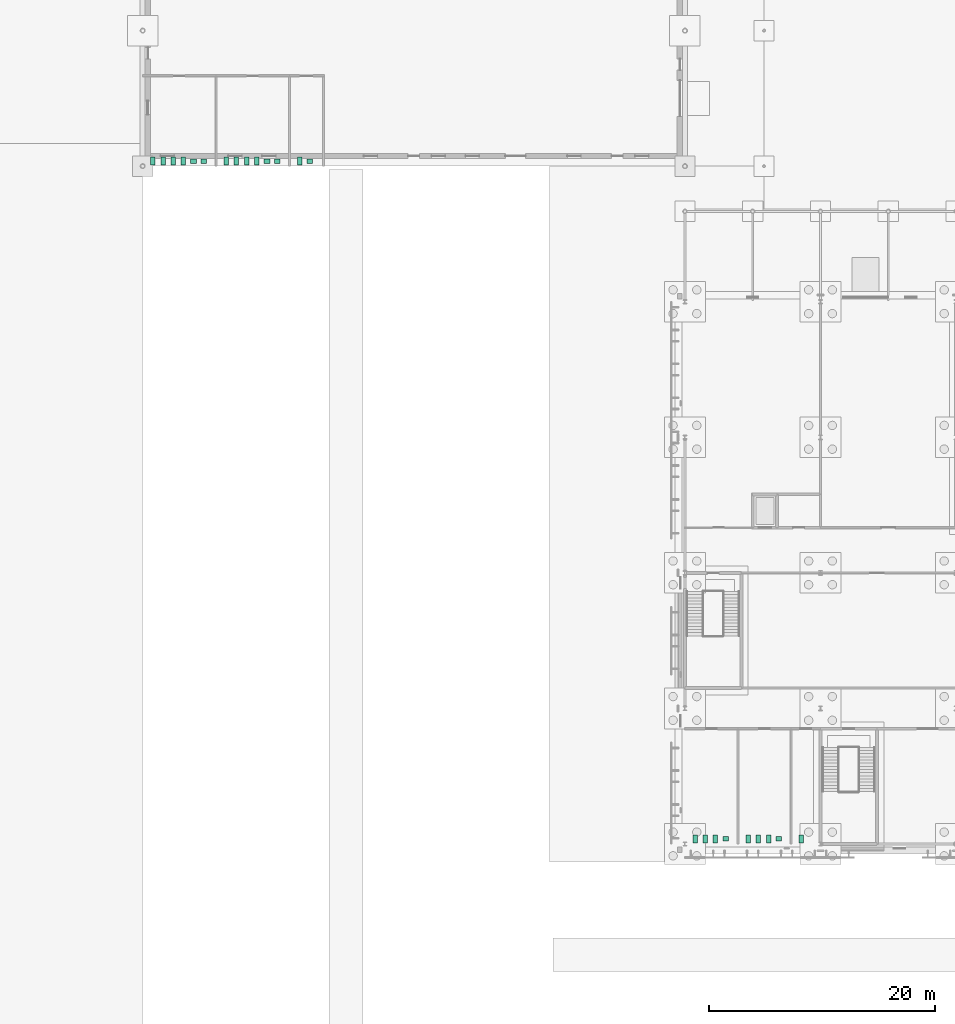
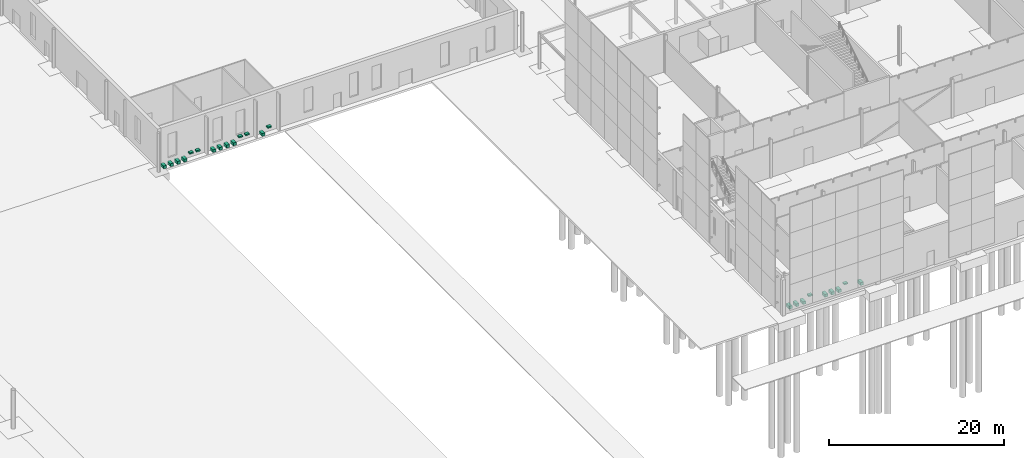
# One storey, part 129 of 132: 23 sanitary terminals.
"""IFC4 building model written with IfcOpenShell, lengths in metres."""

from ifc_helpers import new_model, si_unit, direction, frame, origin, origin_2d, place, context, subcontext, project, spatial, rectangle, extrude, material, type_object, element, save


model = new_model("IFC4")

# Units and contexts
model_context = context("Model", 3, precision=1e-05, world=origin(), true_north=direction((0.0, 1.0)))
body_context = subcontext(model_context, "Body", "Model", "MODEL_VIEW")
ifc_project = project(units=[si_unit("LENGTHUNIT", "METRE"), si_unit("AREAUNIT", "SQUARE_METRE"), si_unit("VOLUMEUNIT", "CUBIC_METRE"), si_unit("PLANEANGLEUNIT", "RADIAN"), si_unit("MASSUNIT", "GRAM", prefix="KILO")], contexts=[model_context])

# Site, building, storey
site_placement = place(None, origin())
site = spatial("IfcSite", under=ifc_project, at=site_placement, CompositionType="ELEMENT")
building_placement = place(site_placement, origin())
building = spatial("IfcBuilding", under=site, at=building_placement, Name="Ravi Spectrum Wholesale Market", CompositionType="ELEMENT")
storey_placement = place(building_placement, origin())
storey = spatial("IfcBuildingStorey", under=building, at=storey_placement, Name="L00", CompositionType="ELEMENT", Elevation=0.0)

# Sanitary terminals
ifc_material_1 = material(Name="Vitreous china")
sanitary_terminal_type_1 = type_object("IfcSanitaryTerminalType", Name="Wash hand basin", PredefinedType="WASHHANDBASIN", material=ifc_material_1)
for number, where, z_axis, x_axis, name in (
    (1, (154.5, 78.449951171875, 0.7001953125), (0.0, 0.0, 1.0), (1.0, 0.0, 0.0), "Basin L00-H2-02-5"),
    (2, (155.39990234375, 78.449951171875, 0.7001953125), (0.0, 0.0, 1.0), (1.0, 0.0, 0.0), "Basin L00-H2-02-6"),
    (3, (161.0, 78.449951171875, 0.7001953125), (0.0, 0.0, 1.0), (1.0, 0.0, 0.0), "Basin L00-H2-03-5"),
    (4, (161.89990234375, 78.449951171875, 0.7001953125), (0.0, 0.0, 1.0), (1.0, 0.0, 0.0), "Basin L00-H2-03-6"),
    (5, (164.800048828125, 78.449951171875, 0.7001953125), (0.0, 0.0, 1.0), (1.0, 0.0, 0.0), "Basin L00-H2-04-2"),
    (6, (201.60009765625, 18.449951171875, 0.7001953125), (0.0, 0.0, 1.0), (1.0, 0.0, 0.0), "Basin L00-CS-15-4"),
    (7, (206.300048828125, 18.449951171875, 0.7001953125), (0.0, 0.0, 1.0), (1.0, 0.0, 0.0), "Basin L00-CS-16-4"),
):
    element("IfcSanitaryTerminal", number, at=place(storey_placement, frame(where, z_axis=z_axis, x_axis=x_axis)), inside=storey, type_object=sanitary_terminal_type_1, Name=name, PredefinedType="WASHHANDBASIN", context=body_context, shape_type="SweptSolid", body=[
        extrude(rectangle(XDim=0.5, YDim=0.39990234375, at=origin_2d()), origin(), (0.0, 0.0, 1.0), 0.199951171875),
    ])
ifc_material_2 = material(Name="Vitreous china")
sanitary_terminal_type_2 = type_object("IfcSanitaryTerminalType", Name="Water closet pan", PredefinedType="WCSEAT", material=ifc_material_2)
for number, where, z_axis, x_axis, name in (
    (8, (150.89990234375, 78.449951171875, 0.0), (0.0, 0.0, 1.0), (1.0, 0.0, 0.0), "Water closet L00-H2-02-1"),
    (9, (151.800048828125, 78.449951171875, 0.0), (0.0, 0.0, 1.0), (1.0, 0.0, 0.0), "Water closet L00-H2-02-2"),
    (10, (152.699951171875, 78.449951171875, 0.0), (0.0, 0.0, 1.0), (1.0, 0.0, 0.0), "Water closet L00-H2-02-3"),
    (11, (153.60009765625, 78.449951171875, 0.0), (0.0, 0.0, 1.0), (1.0, 0.0, 0.0), "Water closet L00-H2-02-4"),
    (12, (157.39990234375, 78.449951171875, 0.0), (0.0, 0.0, 1.0), (1.0, 0.0, 0.0), "Water closet L00-H2-03-1"),
    (13, (158.300048828125, 78.449951171875, 0.0), (0.0, 0.0, 1.0), (1.0, 0.0, 0.0), "Water closet L00-H2-03-2"),
    (14, (159.199951171875, 78.449951171875, 0.0), (0.0, 0.0, 1.0), (1.0, 0.0, 0.0), "Water closet L00-H2-03-3"),
    (15, (160.10009765625, 78.449951171875, 0.0), (0.0, 0.0, 1.0), (1.0, 0.0, 0.0), "Water closet L00-H2-03-4"),
    (16, (163.89990234375, 78.449951171875, 0.0), (0.0, 0.0, 1.0), (1.0, 0.0, 0.0), "Water closet L00-H2-04-1"),
    (17, (198.89990234375, 18.449951171875, 0.0), (0.0, 0.0, 1.0), (1.0, 0.0, 0.0), "Water closet L00-CS-15-1"),
    (18, (199.800048828125, 18.449951171875, 0.0), (0.0, 0.0, 1.0), (1.0, 0.0, 0.0), "Water closet L00-CS-15-2"),
    (19, (200.699951171875, 18.449951171875, 0.0), (0.0, 0.0, 1.0), (1.0, 0.0, 0.0), "Water closet L00-CS-15-3"),
    (20, (203.60009765625, 18.449951171875, 0.0), (0.0, 0.0, 1.0), (1.0, 0.0, 0.0), "Water closet L00-CS-16-1"),
    (21, (204.5, 18.449951171875, 0.0), (0.0, 0.0, 1.0), (1.0, 0.0, 0.0), "Water closet L00-CS-16-2"),
    (22, (205.39990234375, 18.449951171875, 0.0), (0.0, 0.0, 1.0), (1.0, 0.0, 0.0), "Water closet L00-CS-16-3"),
    (23, (208.300048828125, 18.449951171875, 0.0), (0.0, 0.0, 1.0), (1.0, 0.0, 0.0), "Water closet L00-CS-17-1"),
):
    element("IfcSanitaryTerminal", number, at=place(storey_placement, frame(where, z_axis=z_axis, x_axis=x_axis)), inside=storey, type_object=sanitary_terminal_type_2, Name=name, PredefinedType="WCSEAT", context=body_context, shape_type="SweptSolid", body=[
        extrude(rectangle(XDim=0.39990234375, YDim=0.699951171875, at=origin_2d()), origin(), (0.0, 0.0, 1.0), 0.39990234375),
    ])

save(model, "model.ifc")
